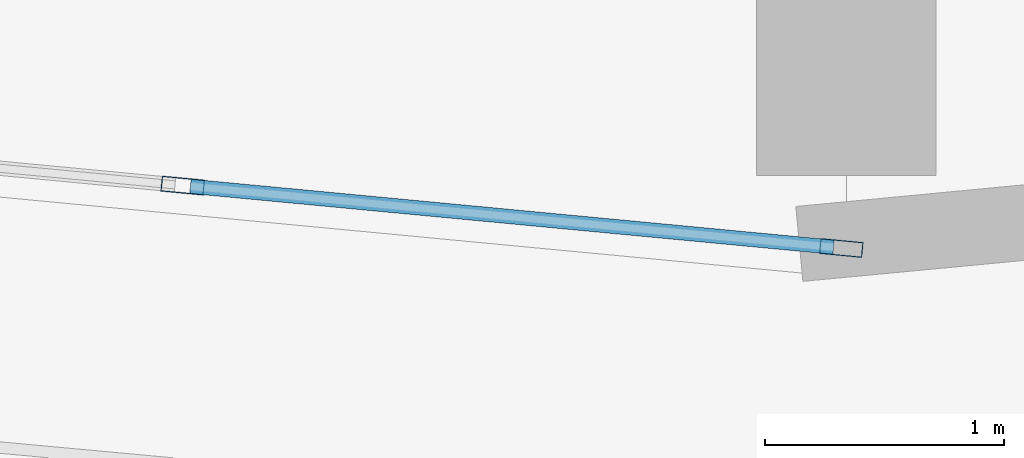
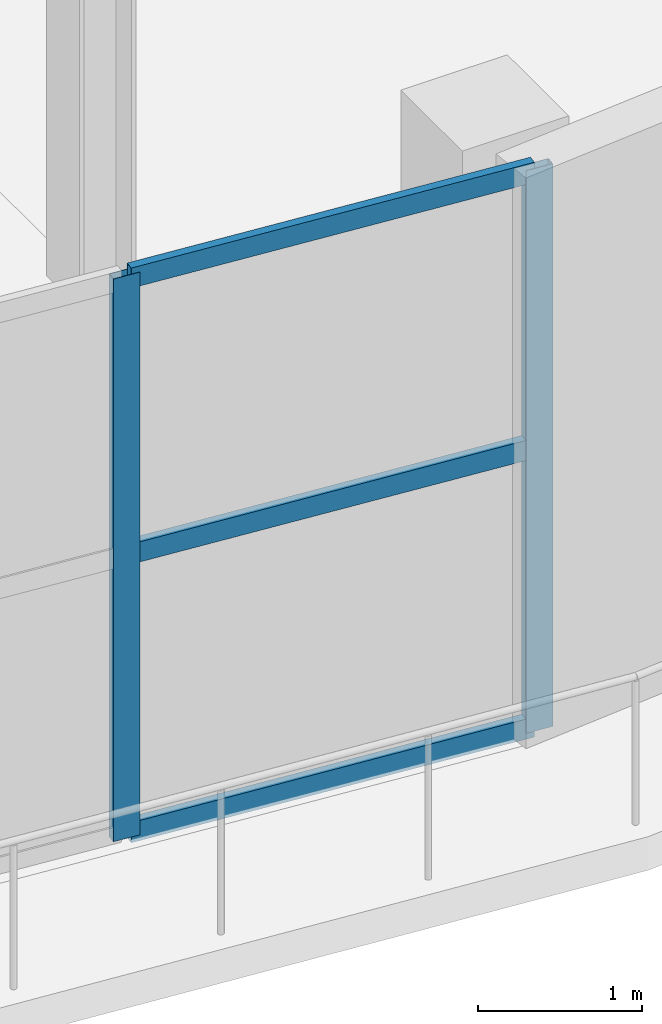
# One storey, part 24 of 107: 5 members, 1 element without a shape of its own.
"""IFC4 building model written with IfcOpenShell, lengths in metres."""

from ifc_helpers import new_model, si_unit, direction, frame, origin, origin_2d, place, context, subcontext, project, spatial, hollow_rectangle, extrude, material, layer, layer_set, material_profile, profile_set, type_object, element, aggregate, save


model = new_model("IFC4")

# Units and contexts
model_context = context("Model", 3, precision=1e-05, world=origin(), true_north=direction((0.0, 1.0)))
body_context = subcontext(model_context, "Body", "Model", "MODEL_VIEW")
ifc_project = project(units=[si_unit("LENGTHUNIT", "METRE"), si_unit("AREAUNIT", "SQUARE_METRE"), si_unit("VOLUMEUNIT", "CUBIC_METRE"), si_unit("PLANEANGLEUNIT", "RADIAN"), si_unit("MASSUNIT", "GRAM", prefix="KILO")], contexts=[model_context])

# Site, building, storey
site_placement = place(None, origin())
site = spatial("IfcSite", under=ifc_project, at=site_placement, CompositionType="ELEMENT")
building_placement = place(site_placement, origin())
building = spatial("IfcBuilding", under=site, at=building_placement, Name="Kalgoora Escarpment Arena", CompositionType="ELEMENT")
storey_placement = place(building_placement, frame((0.0, 0.0, 5.39990234375)))
storey = spatial("IfcBuildingStorey", under=building, at=storey_placement, Name="L01", CompositionType="ELEMENT", Elevation=5.39990234375)

# Curtain wall, members
ifc_material_1 = material(Name=" Champagne anodised aluminium & double-glazed low-E", Category="aluminium")
ifc_layer = layer(ifc_material_1, 0.14990234375)
ifc_layer_set = layer_set([ifc_layer], Name="CW-UNIT-10")
curtain_wall_type = type_object("IfcCurtainWallType", Name="CW-UNIT-10", PredefinedType="NOTDEFINED", material=ifc_layer_set)
curtain_wall_placement = place(storey_placement, origin())
curtain_wall = element("IfcCurtainWall", 1, at=curtain_wall_placement, inside=storey, type_object=curtain_wall_type, Name="L01 unitised facade curtain wall 009", PredefinedType="NOTDEFINED")
ifc_material_2 = material(Name="Anodised aluminium 6063-T6", Category="aluminium")
ifc_material_profile_1 = material_profile(ifc_material_2, hollow_rectangle(XDim=0.06494140625, YDim=0.179931640625, WallThickness=0.00390625, at=origin_2d()))
ifc_profile_set_1 = profile_set([ifc_material_profile_1], Name="Anodised aluminium 6063-T6")
member_type_1 = type_object("IfcMemberType", Name="MEM-CW-MULL-180", PredefinedType="MULLION", material=ifc_profile_set_1)
member_1_placement = place(storey_placement, frame((92.37890625, 1.5224609375, 0.02001953125), z_axis=(0.0, 0.0, 1.0), x_axis=(-0.094299655777, -0.995543858863, 0.0)))
member_1 = element("IfcMember", 2, at=member_1_placement, type_object=member_type_1, Name="CW-10 mullion 1", PredefinedType="MULLION", context=body_context, shape_type="SweptSolid", body=[
    extrude(hollow_rectangle(XDim=0.06494140625, YDim=0.179931640625, WallThickness=0.00390625, at=origin_2d()), origin(), (0.0, 0.0, 1.0), 4.190185546875),
])
member_2_placement = place(storey_placement, frame((89.62158203125, 1.78369140625, 0.02001953125), z_axis=(0.0, 0.0, 1.0), x_axis=(-0.094299655777, -0.995543858863, 0.0)))
member_2 = element("IfcMember", 3, at=member_2_placement, type_object=member_type_1, Name="CW-10 mullion 2", PredefinedType="MULLION", context=body_context, shape_type="SweptSolid", body=[
    extrude(hollow_rectangle(XDim=0.06494140625, YDim=0.179931640625, WallThickness=0.00390625, at=origin_2d()), origin(), (0.0, 0.0, 1.0), 4.190185546875),
])
ifc_material_3 = material(Name="Anodised aluminium 6063-T6", Category="aluminium")
ifc_material_profile_2 = material_profile(ifc_material_3, hollow_rectangle(XDim=0.06005859375, YDim=0.14990234375, WallThickness=0.00341796875, at=origin_2d()))
ifc_profile_set_2 = profile_set([ifc_material_profile_2], Name="Anodised aluminium 6063-T6")
member_type_2 = type_object("IfcMemberType", Name="MEM-CW-TRAN-150", PredefinedType="USERDEFINED", material=ifc_profile_set_2)
member_3_placement = place(storey_placement, frame((92.3466796875, 1.525634765625, 0.050048828125), z_axis=(-0.995542002114, 0.094319255867, 0.0), x_axis=(-0.094319255867, -0.995542002114, 0.0)))
member_3 = element("IfcMember", 4, at=member_3_placement, type_object=member_type_2, Name="CW-10 transom 1.1", ObjectType="TRANSOM", PredefinedType="USERDEFINED", context=body_context, shape_type="SweptSolid", body=[
    extrude(hollow_rectangle(XDim=0.06005859375, YDim=0.14990234375, WallThickness=0.00341796875, at=origin_2d()), origin(), (0.0, 0.0, 1.0), 2.704833984375),
])
member_4_placement = place(storey_placement, frame((92.3466796875, 1.525634765625, 2.125), z_axis=(-0.995542002114, 0.094319255867, 0.0), x_axis=(-0.094319255867, -0.995542002114, 0.0)))
member_4 = element("IfcMember", 5, at=member_4_placement, type_object=member_type_2, Name="CW-10 transom 1.2", ObjectType="TRANSOM", PredefinedType="USERDEFINED", context=body_context, shape_type="SweptSolid", body=[
    extrude(hollow_rectangle(XDim=0.06005859375, YDim=0.14990234375, WallThickness=0.00341796875, at=origin_2d()), origin(), (0.0, 0.0, 1.0), 2.704833984375),
])
member_5_placement = place(storey_placement, frame((92.3466796875, 1.525634765625, 4.18017578125), z_axis=(-0.995542002114, 0.094319255867, 0.0), x_axis=(-0.094319255867, -0.995542002114, 0.0)))
member_5 = element("IfcMember", 6, at=member_5_placement, type_object=member_type_2, Name="CW-10 transom 1.3", ObjectType="TRANSOM", PredefinedType="USERDEFINED", context=body_context, shape_type="SweptSolid", body=[
    extrude(hollow_rectangle(XDim=0.06005859375, YDim=0.14990234375, WallThickness=0.00341796875, at=origin_2d()), origin(), (0.0, 0.0, 1.0), 2.704833984375),
])
aggregate(curtain_wall, [member_1, member_2, member_3, member_4, member_5])

save(model, "model.ifc")
